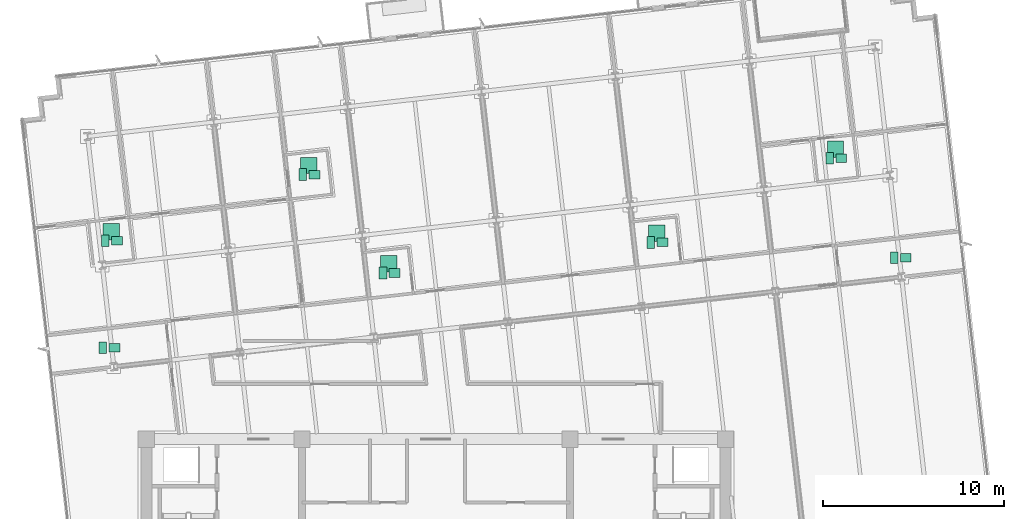
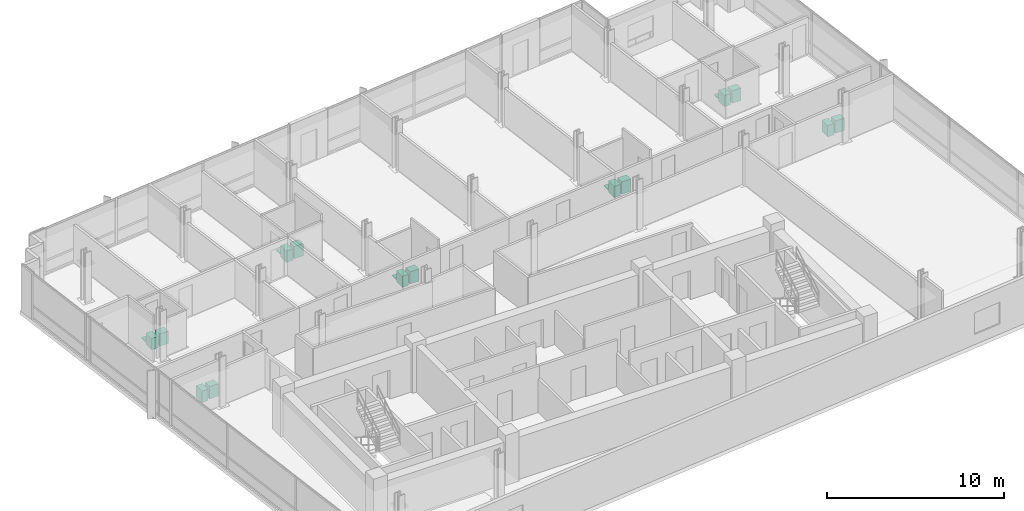
# One storey, part 16 of 16: 19 sanitary terminals.
"""IFC4 building model written with IfcOpenShell, lengths in metres."""

from ifc_helpers import new_model, si_unit, direction, frame, origin, origin_2d, place, context, subcontext, project, spatial, rectangle, extrude, material, type_object, element, save


model = new_model("IFC4")

# Units and contexts
model_context = context("Model", 3, precision=1e-05, world=origin(), true_north=direction((0.0, 1.0)))
body_context = subcontext(model_context, "Body", "Model", "MODEL_VIEW")
ifc_project = project(units=[si_unit("LENGTHUNIT", "METRE"), si_unit("AREAUNIT", "SQUARE_METRE"), si_unit("VOLUMEUNIT", "CUBIC_METRE"), si_unit("PLANEANGLEUNIT", "RADIAN"), si_unit("MASSUNIT", "GRAM", prefix="KILO")], contexts=[model_context])

# Site, building, storey
site_placement = place(None, origin())
site = spatial("IfcSite", under=ifc_project, at=site_placement, CompositionType="ELEMENT")
building_placement = place(site_placement, origin())
building = spatial("IfcBuilding", under=site, at=building_placement, Name="Solmavex Isthmus Hotel", CompositionType="ELEMENT")
storey_placement = place(building_placement, frame((0.0, 0.0, 219.300048828125)))
storey = spatial("IfcBuildingStorey", under=building, at=storey_placement, Name="L59", CompositionType="ELEMENT", Elevation=219.300048828125)

# Sanitary terminals
ifc_material = material(Name="Vitreous china ceramic", Category="ceramic")
sanitary_terminal_type_1 = type_object("IfcSanitaryTerminalType", Name="SAN-BASIN", PredefinedType="WASHHANDBASIN", material=ifc_material)
for number, where, z_axis, x_axis, name in (
    (1, (-17.625732421875, 8.458251953125, 0.0), (0.0, 0.0, 1.0), (1.0, 0.0, 0.0), "Vanity Washbasin L59-292"),
    (2, (-6.71630859375, 12.11669921875, 0.0), (0.0, 0.0, 1.0), (1.0, 0.0, 0.0), "Vanity Washbasin L59-293"),
    (3, (-2.28662109375, 6.685302734375, 0.0), (0.0, 0.0, 1.0), (1.0, 0.0, 0.0), "Vanity Washbasin L59-294"),
    (4, (12.509765625, 8.37109375, 0.0), (0.0, 0.0, 1.0), (1.0, 0.0, 0.0), "Vanity Washbasin L59-295"),
    (5, (22.387451171875, 13.01708984375, 0.0), (0.0, 0.0, 1.0), (1.0, 0.0, 0.0), "Vanity Washbasin L59-296"),
    (6, (-17.761474609375, 2.546875, 0.0), (0.0, 0.0, 1.0), (1.0, 0.0, 0.0), "Vanity Washbasin L59-297"),
    (7, (25.956787109375, 7.52783203125, 0.0), (0.0, 0.0, 1.0), (1.0, 0.0, 0.0), "Vanity Washbasin L59-298"),
):
    element("IfcSanitaryTerminal", number, at=place(storey_placement, frame(where, z_axis=z_axis, x_axis=x_axis)), inside=storey, type_object=sanitary_terminal_type_1, Name=name, PredefinedType="WASHHANDBASIN", context=body_context, shape_type="SweptSolid", body=[
        extrude(rectangle(XDim=0.60009765625, YDim=0.47998046875, at=origin_2d()), origin(), (0.0, 0.0, 1.0), 0.85009765625),
    ])
sanitary_terminal_type_2 = type_object("IfcSanitaryTerminalType", Name="SAN-SHOWER", PredefinedType="SHOWER", material=ifc_material)
for number, where, z_axis, x_axis, name in (
    (8, (-17.94580078125, 8.958251953125, 0.0), (0.0, 0.0, 1.0), (1.0, 0.0, 0.0), "Walk-In Shower L59-292"),
    (9, (-7.036376953125, 12.61669921875, 0.0), (0.0, 0.0, 1.0), (1.0, 0.0, 0.0), "Walk-In Shower L59-293"),
    (10, (-2.6064453125, 7.185302734375, 0.0), (0.0, 0.0, 1.0), (1.0, 0.0, 0.0), "Walk-In Shower L59-294"),
    (11, (12.189697265625, 8.87109375, 0.0), (0.0, 0.0, 1.0), (1.0, 0.0, 0.0), "Walk-In Shower L59-295"),
    (12, (22.0673828125, 13.51708984375, 0.0), (0.0, 0.0, 1.0), (1.0, 0.0, 0.0), "Walk-In Shower L59-296"),
):
    element("IfcSanitaryTerminal", number, at=place(storey_placement, frame(where, z_axis=z_axis, x_axis=x_axis)), inside=storey, type_object=sanitary_terminal_type_2, Name=name, PredefinedType="SHOWER", context=body_context, shape_type="SweptSolid", body=[
        extrude(rectangle(XDim=0.89990234375, YDim=0.89990234375, at=origin_2d()), origin(), (0.0, 0.0, 1.0), 0.080078125),
    ])
sanitary_terminal_type_3 = type_object("IfcSanitaryTerminalType", Name="SAN-WC-SUITE", PredefinedType="TOILETPAN", material=ifc_material)
for number, where, z_axis, x_axis, name in (
    (13, (-18.265869140625, 8.458251953125, 0.0), (0.0, 0.0, 1.0), (1.0, 0.0, 0.0), "Water Closet L59-292"),
    (14, (-7.356201171875, 12.11669921875, 0.0), (0.0, 0.0, 1.0), (1.0, 0.0, 0.0), "Water Closet L59-293"),
    (15, (-2.926513671875, 6.685302734375, 0.0), (0.0, 0.0, 1.0), (1.0, 0.0, 0.0), "Water Closet L59-294"),
    (16, (11.869873046875, 8.37109375, 0.0), (0.0, 0.0, 1.0), (1.0, 0.0, 0.0), "Water Closet L59-295"),
    (17, (21.747314453125, 13.01708984375, 0.0), (0.0, 0.0, 1.0), (1.0, 0.0, 0.0), "Water Closet L59-296"),
    (18, (-18.401611328125, 2.546875, 0.0), (0.0, 0.0, 1.0), (1.0, 0.0, 0.0), "Water Closet L59-297"),
    (19, (25.316650390625, 7.52783203125, 0.0), (0.0, 0.0, 1.0), (1.0, 0.0, 0.0), "Water Closet L59-298"),
):
    element("IfcSanitaryTerminal", number, at=place(storey_placement, frame(where, z_axis=z_axis, x_axis=x_axis)), inside=storey, type_object=sanitary_terminal_type_3, Name=name, PredefinedType="TOILETPAN", context=body_context, shape_type="SweptSolid", body=[
        extrude(rectangle(XDim=0.419921875, YDim=0.64990234375, at=origin_2d()), origin(), (0.0, 0.0, 1.0), 0.780029296875),
    ])

save(model, "model.ifc")
